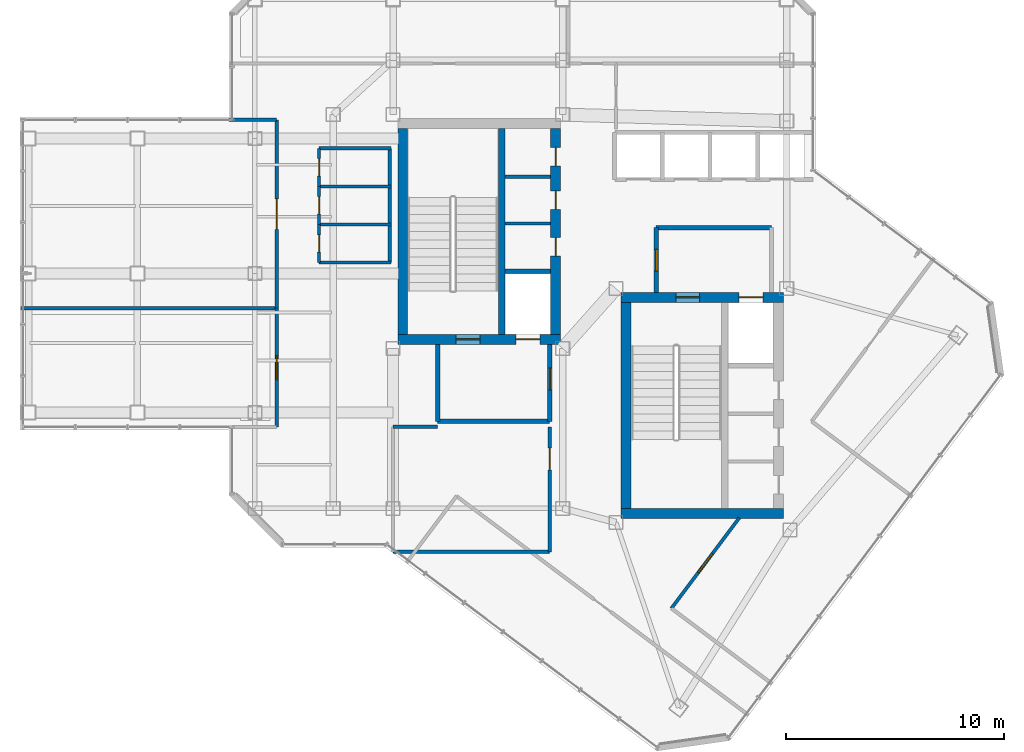
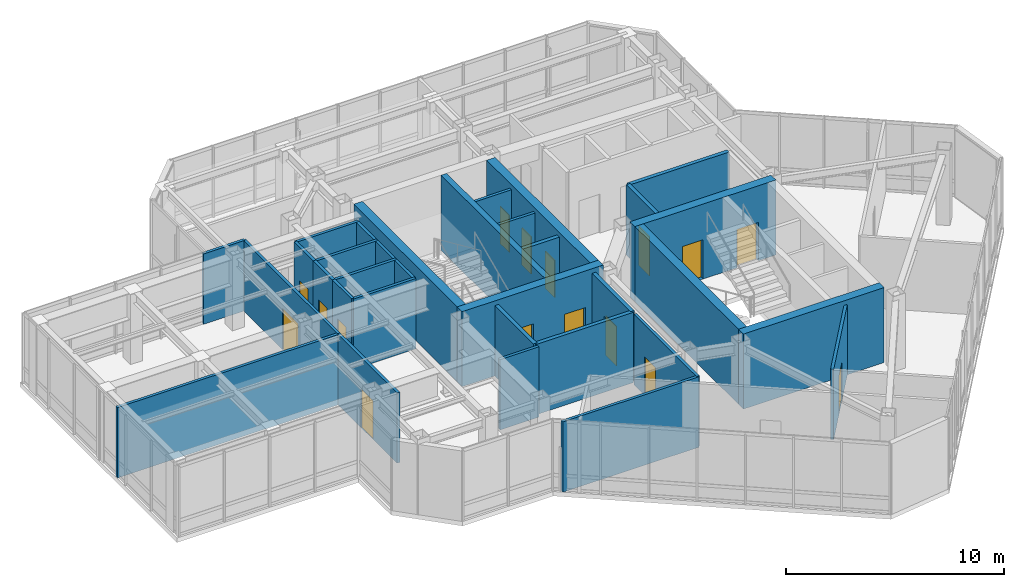
# One storey, part 18 of 22: 31 walls, 16 doors, 16 openings.
"""IFC4 building model written with IfcOpenShell, lengths in metres."""

from ifc_helpers import new_model, si_unit, direction, frame, frame_2d, origin, place, context, subcontext, project, spatial, rectangle, extrude, material, layer, layer_set, type_object, element, fill, save


model = new_model("IFC4")

# Units and contexts
model_context = context("Model", 3, precision=1e-05, world=origin(), true_north=direction((0.0, 1.0)))
body_context = subcontext(model_context, "Body", "Model", "MODEL_VIEW")
ifc_project = project(units=[si_unit("LENGTHUNIT", "METRE"), si_unit("AREAUNIT", "SQUARE_METRE"), si_unit("VOLUMEUNIT", "CUBIC_METRE"), si_unit("PLANEANGLEUNIT", "RADIAN"), si_unit("MASSUNIT", "GRAM", prefix="KILO")], contexts=[model_context])

# Site, building, storey
site_placement = place(None, origin())
site = spatial("IfcSite", under=ifc_project, at=site_placement, CompositionType="ELEMENT")
building_placement = place(site_placement, origin())
building = spatial("IfcBuilding", under=site, at=building_placement, Name="Hatsunagi Terrace Concourse", CompositionType="ELEMENT")
storey_placement = place(building_placement, frame((0.0, 0.0, 261.75)))
storey = spatial("IfcBuildingStorey", under=building, at=storey_placement, Name="L69", CompositionType="ELEMENT", Elevation=261.75)

# Wall, openings, doors
ifc_material_1 = material(Name="Concrete Fc42", Category="concrete")
ifc_layer_1 = layer(ifc_material_1, 0.449951171875)
ifc_layer_set_1 = layer_set([ifc_layer_1], Name="CoreShearWall_Fc42_450")
wall_type_1 = type_object("IfcWallType", Name="CoreShearWall_Fc42_450", PredefinedType="SHEAR", material=ifc_layer_set_1)
wall_1_placement = place(storey_placement, frame((25.77001953125, 32.965087890625, 0.0), z_axis=(0.0, 0.0, 1.0), x_axis=(1.0, 0.0, 0.0)))
wall_1 = element("IfcWall", 1, at=wall_1_placement, inside=storey, type_object=wall_type_1, Name="Core A Shear Wall S L69", PredefinedType="SHEAR", context=body_context, shape_type="SweptSolid", body=[
    extrude(rectangle(XDim=7.47998046875, YDim=0.449951171875, at=frame_2d((3.739990234375, 0.0))), origin(), (0.0, 0.0, 1.0), 4.199951171875),
])
opening_1_placement = place(wall_1_placement, frame((2.679931640625, 0.0, 0.0)))
opening_1 = element("IfcOpeningElement", 2, at=opening_1_placement, cuts=wall_1, Name="Opening DR-110S", PredefinedType="OPENING", context=body_context, shape_type="SweptSolid", body=[
    extrude(rectangle(XDim=1.10009765625, YDim=2.199951171875, at=frame_2d((0.550048828125, 1.10009765625))), frame((0.0, 0.23486328125, 0.0), z_axis=(0.0, -1.0, 0.0), x_axis=(1.0, 0.0, 0.0)), (0.0, 0.0, 1.0), 0.469970703125),
])
opening_2_placement = place(wall_1_placement, frame((5.429931640625, 0.0, 0.0)))
opening_2 = element("IfcOpeningElement", 3, at=opening_2_placement, cuts=wall_1, Name="Opening LD-01", PredefinedType="OPENING", context=body_context, shape_type="SweptSolid", body=[
    extrude(rectangle(XDim=1.10009765625, YDim=2.14990234375, at=frame_2d((0.550048828125, 1.074951171875))), frame((0.0, 0.23486328125, 0.0), z_axis=(0.0, -1.0, 0.0), x_axis=(1.0, 0.0, 0.0)), (0.0, 0.0, 1.0), 0.469970703125),
])
ifc_material_2 = material(Name="Stainless steel", Category="steel")
door_type_1 = type_object("IfcDoorType", Name="LiftLandingDoor_LD01", OperationType="SLIDING_TO_LEFT", PredefinedType="USERDEFINED", material=ifc_material_2)
door_1_placement = place(opening_2_placement, origin())
door_1 = element("IfcDoor", 4, at=door_1_placement, inside=storey, type_object=door_type_1, Name="Lift landing door FF-01 L69", ObjectType="SLIDING_LANDING_DOOR", OperationType="SLIDING_TO_LEFT", OverallHeight=2.14990234375, OverallWidth=1.10009765625, PredefinedType="USERDEFINED", context=body_context, shape_type="SweptSolid", body=[
    extrude(rectangle(XDim=1.10009765625, YDim=2.14990234375, at=frame_2d((0.550048828125, 1.074951171875))), frame((0.0, 0.02490234375, 0.0), z_axis=(0.0, -1.0, 0.0), x_axis=(1.0, 0.0, 0.0)), (0.0, 0.0, 1.0), 0.050048828125),
])
fill(opening_2, door_1)
ifc_material_3 = material(Name="Painted steel", Category="steel")
door_type_2 = type_object("IfcDoorType", Name="StairFireDoor_EI60_1100", OperationType="NOTDEFINED", PredefinedType="DOOR", material=ifc_material_3)
door_2_placement = place(opening_1_placement, origin())
door_2 = element("IfcDoor", 5, at=door_2_placement, inside=storey, type_object=door_type_2, Name="Stair ST-A Exit Door L69", OperationType="SINGLE_SWING_LEFT", OverallHeight=2.199951171875, OverallWidth=1.10009765625, PredefinedType="DOOR", context=body_context, shape_type="SweptSolid", body=[
    extrude(rectangle(XDim=1.10009765625, YDim=2.199951171875, at=frame_2d((0.550048828125, 1.10009765625))), frame((0.0, 0.02490234375, 0.0), z_axis=(0.0, -1.0, 0.0), x_axis=(1.0, 0.0, 0.0)), (0.0, 0.0, 1.0), 0.050048828125),
])
fill(opening_1, door_2)

# Wall
wall_2_placement = place(storey_placement, frame((25.9951171875, 33.18994140625, 0.0), z_axis=(0.0, 0.0, 1.0), x_axis=(0.0, 1.0, 0.0)))
element("IfcWall", 6, at=wall_2_placement, inside=storey, type_object=wall_type_1, Name="Core A Shear Wall W L69", PredefinedType="SHEAR", context=body_context, shape_type="SweptSolid", body=[
    extrude(rectangle(XDim=9.47998046875, YDim=0.449951171875, at=frame_2d((4.739990234375, 0.0))), origin(), (0.0, 0.0, 1.0), 4.199951171875),
])

# Wall, openings, doors
wall_3_placement = place(storey_placement, frame((33.02490234375, 33.18994140625, 0.0), z_axis=(0.0, 0.0, 1.0), x_axis=(0.0, 1.0, 0.0)))
wall_3 = element("IfcWall", 7, at=wall_3_placement, inside=storey, type_object=wall_type_1, Name="Core A Shear Wall E L69", PredefinedType="SHEAR", context=body_context, shape_type="SweptSolid", body=[
    extrude(rectangle(XDim=9.47998046875, YDim=0.449951171875, at=frame_2d((4.739990234375, 0.0))), origin(), (0.0, 0.0, 1.0), 4.199951171875),
])
opening_3_placement = place(wall_3_placement, frame((3.610107421875, 0.0, 0.0)))
opening_3 = element("IfcOpeningElement", 8, at=opening_3_placement, cuts=wall_3, Name="Opening DR-085", PredefinedType="OPENING", context=body_context, shape_type="SweptSolid", body=[
    extrude(rectangle(XDim=0.85009765625, YDim=2.080078125, at=frame_2d((0.425048828125, 1.0400390625))), frame((0.0, 0.23486328125, 0.0), z_axis=(0.0, -1.0, 0.0), x_axis=(1.0, 0.0, 0.0)), (0.0, 0.0, 1.0), 0.469970703125),
])
opening_4_placement = place(wall_3_placement, frame((5.760009765625, 0.0, 0.0)))
opening_4 = element("IfcOpeningElement", 9, at=opening_4_placement, cuts=wall_3, Name="Opening DR-085", PredefinedType="OPENING", context=body_context, shape_type="SweptSolid", body=[
    extrude(rectangle(XDim=0.85009765625, YDim=2.080078125, at=frame_2d((0.425048828125, 1.0400390625))), frame((0.0, 0.23486328125, 0.0), z_axis=(0.0, -1.0, 0.0), x_axis=(1.0, 0.0, 0.0)), (0.0, 0.0, 1.0), 0.469970703125),
])
opening_5_placement = place(wall_3_placement, frame((7.760009765625, 0.0, 0.0)))
opening_5 = element("IfcOpeningElement", 10, at=opening_5_placement, cuts=wall_3, Name="Opening DR-085", PredefinedType="OPENING", context=body_context, shape_type="SweptSolid", body=[
    extrude(rectangle(XDim=0.85009765625, YDim=2.080078125, at=frame_2d((0.425048828125, 1.0400390625))), frame((0.0, 0.23486328125, 0.0), z_axis=(0.0, -1.0, 0.0), x_axis=(1.0, 0.0, 0.0)), (0.0, 0.0, 1.0), 0.469970703125),
])
ifc_material_4 = material(Name="Painted steel", Category="steel")
door_type_3 = type_object("IfcDoorType", Name="RiserAccessDoor_EI60_850", OperationType="NOTDEFINED", PredefinedType="DOOR", material=ifc_material_4)
door_3_placement = place(opening_3_placement, origin())
door_3 = element("IfcDoor", 11, at=door_3_placement, inside=storey, type_object=door_type_3, Name="Core A Riser Door L69-1", OperationType="SINGLE_SWING_LEFT", OverallHeight=2.080078125, OverallWidth=0.85009765625, PredefinedType="DOOR", context=body_context, shape_type="SweptSolid", body=[
    extrude(rectangle(XDim=0.85009765625, YDim=2.080078125, at=frame_2d((0.425048828125, 1.0400390625))), frame((0.0, 0.02490234375, 0.0), z_axis=(0.0, -1.0, 0.0), x_axis=(1.0, 0.0, 0.0)), (0.0, 0.0, 1.0), 0.050048828125),
])
fill(opening_3, door_3)
door_4_placement = place(opening_4_placement, origin())
door_4 = element("IfcDoor", 12, at=door_4_placement, inside=storey, type_object=door_type_3, Name="Core A Riser Door L69-2", OperationType="SINGLE_SWING_LEFT", OverallHeight=2.080078125, OverallWidth=0.85009765625, PredefinedType="DOOR", context=body_context, shape_type="SweptSolid", body=[
    extrude(rectangle(XDim=0.85009765625, YDim=2.080078125, at=frame_2d((0.425048828125, 1.0400390625))), frame((0.0, 0.02490234375, 0.0), z_axis=(0.0, -1.0, 0.0), x_axis=(1.0, 0.0, 0.0)), (0.0, 0.0, 1.0), 0.050048828125),
])
fill(opening_4, door_4)
door_5_placement = place(opening_5_placement, origin())
door_5 = element("IfcDoor", 13, at=door_5_placement, inside=storey, type_object=door_type_3, Name="Core A Riser Door L69-3", OperationType="SINGLE_SWING_LEFT", OverallHeight=2.080078125, OverallWidth=0.85009765625, PredefinedType="DOOR", context=body_context, shape_type="SweptSolid", body=[
    extrude(rectangle(XDim=0.85009765625, YDim=2.080078125, at=frame_2d((0.425048828125, 1.0400390625))), frame((0.0, 0.02490234375, 0.0), z_axis=(0.0, -1.0, 0.0), x_axis=(1.0, 0.0, 0.0)), (0.0, 0.0, 1.0), 0.050048828125),
])
fill(opening_5, door_5)

# Wall
wall_4_placement = place(storey_placement, frame((36.0400390625, 24.965087890625, 0.0), z_axis=(0.0, 0.0, 1.0), x_axis=(1.0, 0.0, 0.0)))
element("IfcWall", 14, at=wall_4_placement, inside=storey, type_object=wall_type_1, Name="Core B Shear Wall S L69", PredefinedType="SHEAR", context=body_context, shape_type="SweptSolid", body=[
    extrude(rectangle(XDim=7.4599609375, YDim=0.449951171875, at=frame_2d((3.72998046875, 0.0))), origin(), (0.0, 0.0, 1.0), 4.199951171875),
])

# Wall, openings, doors
wall_5_placement = place(storey_placement, frame((36.0400390625, 34.89501953125, 0.0), z_axis=(0.0, 0.0, 1.0), x_axis=(1.0, 0.0, 0.0)))
wall_5 = element("IfcWall", 15, at=wall_5_placement, inside=storey, type_object=wall_type_1, Name="Core B Shear Wall N L69", PredefinedType="SHEAR", context=body_context, shape_type="SweptSolid", body=[
    extrude(rectangle(XDim=7.4599609375, YDim=0.449951171875, at=frame_2d((3.72998046875, 0.0))), origin(), (0.0, 0.0, 1.0), 4.199951171875),
])
opening_6_placement = place(wall_5_placement, frame((2.510009765625, 0.0, 0.0)))
opening_6 = element("IfcOpeningElement", 16, at=opening_6_placement, cuts=wall_5, Name="Opening DR-110S", PredefinedType="OPENING", context=body_context, shape_type="SweptSolid", body=[
    extrude(rectangle(XDim=1.10009765625, YDim=2.199951171875, at=frame_2d((0.550048828125, 1.10009765625))), frame((0.0, 0.23486328125, 0.0), z_axis=(0.0, -1.0, 0.0), x_axis=(1.0, 0.0, 0.0)), (0.0, 0.0, 1.0), 0.469970703125),
])
opening_7_placement = place(wall_5_placement, frame((5.409912109375, 0.0, 0.0)))
opening_7 = element("IfcOpeningElement", 17, at=opening_7_placement, cuts=wall_5, Name="Opening LD-02", PredefinedType="OPENING", context=body_context, shape_type="SweptSolid", body=[
    extrude(rectangle(XDim=1.1201171875, YDim=2.14990234375, at=frame_2d((0.56005859375, 1.074951171875))), frame((0.0, 0.23486328125, 0.0), z_axis=(0.0, -1.0, 0.0), x_axis=(1.0, 0.0, 0.0)), (0.0, 0.0, 1.0), 0.469970703125),
])
ifc_material_5 = material(Name="Stainless steel", Category="steel")
door_type_4 = type_object("IfcDoorType", Name="LiftLandingDoor_LD02", OperationType="SLIDING_TO_RIGHT", PredefinedType="USERDEFINED", material=ifc_material_5)
door_6_placement = place(opening_7_placement, origin())
door_6 = element("IfcDoor", 18, at=door_6_placement, inside=storey, type_object=door_type_4, Name="Lift landing door FF-02 L69", ObjectType="SLIDING_LANDING_DOOR", OperationType="SLIDING_TO_RIGHT", OverallHeight=2.14990234375, OverallWidth=1.1201171875, PredefinedType="USERDEFINED", context=body_context, shape_type="SweptSolid", body=[
    extrude(rectangle(XDim=1.1201171875, YDim=2.14990234375, at=frame_2d((0.56005859375, 1.074951171875))), frame((0.0, 0.02490234375, 0.0), z_axis=(0.0, -1.0, 0.0), x_axis=(1.0, 0.0, 0.0)), (0.0, 0.0, 1.0), 0.050048828125),
])
fill(opening_7, door_6)
door_7_placement = place(opening_6_placement, origin())
door_7 = element("IfcDoor", 19, at=door_7_placement, inside=storey, type_object=door_type_2, Name="Stair ST-B Exit Door L69", OperationType="SINGLE_SWING_RIGHT", OverallHeight=2.199951171875, OverallWidth=1.10009765625, PredefinedType="DOOR", context=body_context, shape_type="SweptSolid", body=[
    extrude(rectangle(XDim=1.10009765625, YDim=2.199951171875, at=frame_2d((0.550048828125, 1.10009765625))), frame((0.0, 0.02490234375, 0.0), z_axis=(0.0, -1.0, 0.0), x_axis=(1.0, 0.0, 0.0)), (0.0, 0.0, 1.0), 0.050048828125),
])
fill(opening_6, door_7)

# Walls
wall_6_placement = place(storey_placement, frame((36.264892578125, 25.18994140625, 0.0), z_axis=(0.0, 0.0, 1.0), x_axis=(0.0, 1.0, 0.0)))
element("IfcWall", 20, at=wall_6_placement, inside=storey, type_object=wall_type_1, Name="Core B Shear Wall W L69", PredefinedType="SHEAR", context=body_context, shape_type="SweptSolid", body=[
    extrude(rectangle(XDim=9.47998046875, YDim=0.449951171875, at=frame_2d((4.739990234375, 0.0))), origin(), (0.0, 0.0, 1.0), 4.199951171875),
])
ifc_material_6 = material(Name="Concrete Fc48", Category="concrete")
ifc_layer_2 = layer(ifc_material_6, 0.300048828125)
ifc_layer_set_2 = layer_set([ifc_layer_2], Name="CoreStairDivider_Fc48_300")
wall_type_2 = type_object("IfcWallType", Name="CoreStairDivider_Fc48_300", PredefinedType="SHEAR", material=ifc_layer_set_2)
wall_7_placement = place(storey_placement, frame((30.5400390625, 33.18994140625, 0.0), z_axis=(0.0, 0.0, 1.0), x_axis=(0.0, 1.0, 0.0)))
element("IfcWall", 21, at=wall_7_placement, inside=storey, type_object=wall_type_2, Name="Core A Shear Wall D L69", PredefinedType="SHEAR", context=body_context, shape_type="SweptSolid", body=[
    extrude(rectangle(XDim=9.47998046875, YDim=0.300048828125, at=frame_2d((4.739990234375, 0.0))), origin(), (0.0, 0.0, 1.0), 4.199951171875),
])
ifc_material_7 = material(Name="Acoustic mineral board", Category="gypsum")
ifc_layer_3 = layer(ifc_material_7, 0.14990234375)
ifc_layer_set_3 = layer_set([ifc_layer_3], Name="PartitionWall_EI60_150")
wall_type_3 = type_object("IfcWallType", Name="PartitionWall_EI60_150", PredefinedType="PARTITIONING", material=ifc_layer_set_3)
for number, where, z_axis, x_axis, name in (
    (22, (30.699951171875, 38.300048828125, 0.0), (0.0, 0.0, 1.0), (1.0, 0.0, 0.0), "Interior Partition IW-L69-002"),
    (23, (30.699951171875, 40.449951171875, 0.0), (0.0, 0.0, 1.0), (1.0, 0.0, 0.0), "Interior Partition IW-L69-003"),
):
    element("IfcWall", number, at=place(storey_placement, frame(where, z_axis=z_axis, x_axis=x_axis)), inside=storey, type_object=wall_type_3, Name=name, PredefinedType="PARTITIONING", context=body_context, shape_type="SweptSolid", body=[
        extrude(rectangle(XDim=2.10009765625, YDim=0.14990234375, at=frame_2d((1.050048828125, 0.0))), origin(), (0.0, 0.0, 1.0), 3.93994140625),
    ])
for number, where, z_axis, x_axis, name in (
    (24, (22.14990234375, 36.5, 0.0), (0.0, 0.0, 1.0), (1.0, 0.0, 0.0), "Interior Partition IW-L69-019"),
    (25, (22.14990234375, 41.75, 0.0), (0.0, 0.0, 1.0), (1.0, 0.0, 0.0), "Interior Partition IW-L69-020"),
):
    element("IfcWall", number, at=place(storey_placement, frame(where, z_axis=z_axis, x_axis=x_axis)), inside=storey, type_object=wall_type_3, Name=name, PredefinedType="PARTITIONING", context=body_context, shape_type="SweptSolid", body=[
        extrude(rectangle(XDim=3.300048828125, YDim=0.14990234375, at=frame_2d((1.64990234375, 0.0))), origin(), (0.0, 0.0, 1.0), 3.93994140625),
    ])
wall_8_placement = place(storey_placement, frame((25.39990234375, 36.5, 0.0), z_axis=(0.0, 0.0, 1.0), x_axis=(0.0, 1.0, 0.0)))
element("IfcWall", 26, at=wall_8_placement, inside=storey, type_object=wall_type_3, Name="Interior Partition IW-L69-021", PredefinedType="PARTITIONING", context=body_context, shape_type="SweptSolid", body=[
    extrude(rectangle(XDim=5.25, YDim=0.14990234375, at=frame_2d((2.625, 0.0))), origin(), (0.0, 0.0, 1.0), 3.93994140625),
])
for number, where, z_axis, x_axis, name in (
    (27, (22.14990234375, 38.25, 0.0), (0.0, 0.0, 1.0), (1.0, 0.0, 0.0), "Interior Partition IW-L69-022"),
    (28, (22.14990234375, 40.0, 0.0), (0.0, 0.0, 1.0), (1.0, 0.0, 0.0), "Interior Partition IW-L69-023"),
):
    element("IfcWall", number, at=place(storey_placement, frame(where, z_axis=z_axis, x_axis=x_axis)), inside=storey, type_object=wall_type_3, Name=name, PredefinedType="PARTITIONING", context=body_context, shape_type="SweptSolid", body=[
        extrude(rectangle(XDim=3.300048828125, YDim=0.14990234375, at=frame_2d((1.64990234375, 0.0))), origin(), (0.0, 0.0, 1.0), 3.93994140625),
    ])

# Wall, opening, door
wall_9_placement = place(storey_placement, frame((22.14990234375, 36.5, 0.0), z_axis=(0.0, 0.0, 1.0), x_axis=(0.0, 1.0, 0.0)))
wall_9 = element("IfcWall", 29, at=wall_9_placement, inside=storey, type_object=wall_type_3, Name="Interior Partition IW-L69-024", PredefinedType="PARTITIONING", context=body_context, shape_type="SweptSolid", body=[
    extrude(rectangle(XDim=1.75, YDim=0.14990234375, at=frame_2d((0.875, 0.0))), origin(), (0.0, 0.0, 1.0), 3.93994140625),
])
opening_8_placement = place(wall_9_placement, frame((0.47509765625, 0.0, 0.0)))
opening_8 = element("IfcOpeningElement", 30, at=opening_8_placement, cuts=wall_9, Name="Opening DR-080", PredefinedType="OPENING", context=body_context, shape_type="SweptSolid", body=[
    extrude(rectangle(XDim=0.800048828125, YDim=2.06005859375, at=frame_2d((0.39990234375, 1.030029296875))), frame((0.0, 0.0849609375, 0.0), z_axis=(0.0, -1.0, 0.0), x_axis=(1.0, 0.0, 0.0)), (0.0, 0.0, 1.0), 0.169921875),
])
ifc_material_8 = material(Name="Hardwood timber", Category="wood")
door_type_5 = type_object("IfcDoorType", Name="BathroomDoor_800", OperationType="NOTDEFINED", PredefinedType="DOOR", material=ifc_material_8)
door_8_placement = place(opening_8_placement, origin())
door_8 = element("IfcDoor", 31, at=door_8_placement, inside=storey, type_object=door_type_5, Name="Accessible WC Door L69", OperationType="SINGLE_SWING_RIGHT", OverallHeight=2.06005859375, OverallWidth=0.800048828125, PredefinedType="DOOR", context=body_context, shape_type="SweptSolid", body=[
    extrude(rectangle(XDim=0.800048828125, YDim=2.06005859375, at=frame_2d((0.39990234375, 1.030029296875))), frame((0.0, 0.02490234375, 0.0), z_axis=(0.0, -1.0, 0.0), x_axis=(1.0, 0.0, 0.0)), (0.0, 0.0, 1.0), 0.050048828125),
])
fill(opening_8, door_8)

wall_10_placement = place(storey_placement, frame((22.14990234375, 38.25, 0.0), z_axis=(0.0, 0.0, 1.0), x_axis=(0.0, 1.0, 0.0)))
wall_10 = element("IfcWall", 32, at=wall_10_placement, inside=storey, type_object=wall_type_3, Name="Interior Partition IW-L69-025", PredefinedType="PARTITIONING", context=body_context, shape_type="SweptSolid", body=[
    extrude(rectangle(XDim=1.75, YDim=0.14990234375, at=frame_2d((0.875, 0.0))), origin(), (0.0, 0.0, 1.0), 3.93994140625),
])
opening_9_placement = place(wall_10_placement, frame((0.47509765625, 0.0, 0.0)))
opening_9 = element("IfcOpeningElement", 33, at=opening_9_placement, cuts=wall_10, Name="Opening DR-080", PredefinedType="OPENING", context=body_context, shape_type="SweptSolid", body=[
    extrude(rectangle(XDim=0.800048828125, YDim=2.06005859375, at=frame_2d((0.39990234375, 1.030029296875))), frame((0.0, 0.0849609375, 0.0), z_axis=(0.0, -1.0, 0.0), x_axis=(1.0, 0.0, 0.0)), (0.0, 0.0, 1.0), 0.169921875),
])
door_9_placement = place(opening_9_placement, origin())
door_9 = element("IfcDoor", 34, at=door_9_placement, inside=storey, type_object=door_type_5, Name="Female Restroom Door L69", OperationType="SINGLE_SWING_RIGHT", OverallHeight=2.06005859375, OverallWidth=0.800048828125, PredefinedType="DOOR", context=body_context, shape_type="SweptSolid", body=[
    extrude(rectangle(XDim=0.800048828125, YDim=2.06005859375, at=frame_2d((0.39990234375, 1.030029296875))), frame((0.0, 0.02490234375, 0.0), z_axis=(0.0, -1.0, 0.0), x_axis=(1.0, 0.0, 0.0)), (0.0, 0.0, 1.0), 0.050048828125),
])
fill(opening_9, door_9)

wall_11_placement = place(storey_placement, frame((22.14990234375, 40.0, 0.0), z_axis=(0.0, 0.0, 1.0), x_axis=(0.0, 1.0, 0.0)))
wall_11 = element("IfcWall", 35, at=wall_11_placement, inside=storey, type_object=wall_type_3, Name="Interior Partition IW-L69-026", PredefinedType="PARTITIONING", context=body_context, shape_type="SweptSolid", body=[
    extrude(rectangle(XDim=1.75, YDim=0.14990234375, at=frame_2d((0.875, 0.0))), origin(), (0.0, 0.0, 1.0), 3.93994140625),
])
opening_10_placement = place(wall_11_placement, frame((0.47509765625, 0.0, 0.0)))
opening_10 = element("IfcOpeningElement", 36, at=opening_10_placement, cuts=wall_11, Name="Opening DR-080", PredefinedType="OPENING", context=body_context, shape_type="SweptSolid", body=[
    extrude(rectangle(XDim=0.800048828125, YDim=2.06005859375, at=frame_2d((0.39990234375, 1.030029296875))), frame((0.0, 0.0849609375, 0.0), z_axis=(0.0, -1.0, 0.0), x_axis=(1.0, 0.0, 0.0)), (0.0, 0.0, 1.0), 0.169921875),
])
door_10_placement = place(opening_10_placement, origin())
door_10 = element("IfcDoor", 37, at=door_10_placement, inside=storey, type_object=door_type_5, Name="Male Restroom Door L69", OperationType="SINGLE_SWING_LEFT", OverallHeight=2.06005859375, OverallWidth=0.800048828125, PredefinedType="DOOR", context=body_context, shape_type="SweptSolid", body=[
    extrude(rectangle(XDim=0.800048828125, YDim=2.06005859375, at=frame_2d((0.39990234375, 1.030029296875))), frame((0.0, 0.02490234375, 0.0), z_axis=(0.0, -1.0, 0.0), x_axis=(1.0, 0.0, 0.0)), (0.0, 0.0, 1.0), 0.050048828125),
])
fill(opening_10, door_10)

# Walls
wall_12_placement = place(storey_placement, frame((25.550048828125, 23.199951171875, 0.0), z_axis=(0.0, 0.0, 1.0), x_axis=(1.0, 0.0, 0.0)))
element("IfcWall", 38, at=wall_12_placement, inside=storey, type_object=wall_type_3, Name="Interior Partition IW-L69-027", PredefinedType="PARTITIONING", context=body_context, shape_type="SweptSolid", body=[
    extrude(rectangle(XDim=7.199951171875, YDim=0.14990234375, at=frame_2d((3.60009765625, 0.0))), origin(), (0.0, 0.0, 1.0), 3.93994140625),
])
wall_13_placement = place(storey_placement, frame((25.550048828125, 28.949951171875, 0.0), z_axis=(0.0, 0.0, 1.0), x_axis=(1.0, 0.0, 0.0)))
element("IfcWall", 39, at=wall_13_placement, inside=storey, type_object=wall_type_3, Name="Interior Partition IW-L69-028", PredefinedType="PARTITIONING", context=body_context, shape_type="SweptSolid", body=[
    extrude(rectangle(XDim=2.050048828125, YDim=0.14990234375, at=frame_2d((1.02490234375, 0.0))), origin(), (0.0, 0.0, 1.0), 3.93994140625),
])

# Wall, opening, door
wall_14_placement = place(storey_placement, frame((32.75, 23.199951171875, 0.0), z_axis=(0.0, 0.0, 1.0), x_axis=(0.0, 1.0, 0.0)))
wall_14 = element("IfcWall", 40, at=wall_14_placement, inside=storey, type_object=wall_type_3, Name="Interior Partition IW-L69-030", PredefinedType="PARTITIONING", context=body_context, shape_type="SweptSolid", body=[
    extrude(rectangle(XDim=5.75, YDim=0.14990234375, at=frame_2d((2.875, 0.0))), origin(), (0.0, 0.0, 1.0), 3.93994140625),
])
opening_11_placement = place(wall_14_placement, frame((3.77197265625, 0.0, 0.0)))
opening_11 = element("IfcOpeningElement", 41, at=opening_11_placement, cuts=wall_14, Name="Opening DR-100S", PredefinedType="OPENING", context=body_context, shape_type="SweptSolid", body=[
    extrude(rectangle(XDim=1.0, YDim=2.14990234375, at=frame_2d((0.5, 1.074951171875))), frame((0.0, 0.0849609375, 0.0), z_axis=(0.0, -1.0, 0.0), x_axis=(1.0, 0.0, 0.0)), (0.0, 0.0, 1.0), 0.169921875),
])
ifc_material_9 = material(Name="Hardwood timber", Category="wood")
door_type_6 = type_object("IfcDoorType", Name="SuiteDoor_EI30_1000", OperationType="NOTDEFINED", PredefinedType="DOOR", material=ifc_material_9)
door_11_placement = place(opening_11_placement, origin())
door_11 = element("IfcDoor", 42, at=door_11_placement, inside=storey, type_object=door_type_6, Name="Executive Briefing Room L69-RECL1 Door", OperationType="SINGLE_SWING_LEFT", OverallHeight=2.14990234375, OverallWidth=1.0, PredefinedType="DOOR", context=body_context, shape_type="SweptSolid", body=[
    extrude(rectangle(XDim=1.0, YDim=2.14990234375, at=frame_2d((0.5, 1.074951171875))), frame((0.0, 0.02490234375, 0.0), z_axis=(0.0, -1.0, 0.0), x_axis=(1.0, 0.0, 0.0)), (0.0, 0.0, 1.0), 0.050048828125),
])
fill(opening_11, door_11)

# Walls
wall_15_placement = place(storey_placement, frame((18.0, 43.06005859375, 0.0), z_axis=(0.0, 0.0, 1.0), x_axis=(1.0, 0.0, 0.0)))
element("IfcWall", 43, at=wall_15_placement, inside=storey, type_object=wall_type_3, Name="Interior Partition IW-L69-034", PredefinedType="PARTITIONING", context=body_context, shape_type="SweptSolid", body=[
    extrude(rectangle(XDim=2.199951171875, YDim=0.14990234375, at=frame_2d((1.10009765625, 0.0))), origin(), (0.0, 0.0, 1.0), 3.93994140625),
])
wall_16_placement = place(storey_placement, frame((8.43994140625, 34.39990234375, 0.0), z_axis=(0.0, 0.0, 1.0), x_axis=(1.0, 0.0, 0.0)))
element("IfcWall", 44, at=wall_16_placement, inside=storey, type_object=wall_type_3, Name="Interior Partition IW-L69-037", PredefinedType="PARTITIONING", context=body_context, shape_type="SweptSolid", body=[
    extrude(rectangle(XDim=11.760009765625, YDim=0.14990234375, at=frame_2d((5.8798828125, 0.0))), origin(), (0.0, 0.0, 1.0), 3.93994140625),
])

# Wall, opening, door
wall_17_placement = place(storey_placement, frame((20.199951171875, 28.93994140625, 0.0), z_axis=(0.0, 0.0, 1.0), x_axis=(0.0, 1.0, 0.0)))
wall_17 = element("IfcWall", 45, at=wall_17_placement, inside=storey, type_object=wall_type_3, Name="Interior Partition IW-L69-038", PredefinedType="PARTITIONING", context=body_context, shape_type="SweptSolid", body=[
    extrude(rectangle(XDim=5.4599609375, YDim=0.14990234375, at=frame_2d((2.72998046875, 0.0))), origin(), (0.0, 0.0, 1.0), 3.93994140625),
])
opening_12_placement = place(wall_17_placement, frame((2.179931640625, 0.0, 0.0)))
opening_12 = element("IfcOpeningElement", 46, at=opening_12_placement, cuts=wall_17, Name="Opening DR-110W", PredefinedType="OPENING", context=body_context, shape_type="SweptSolid", body=[
    extrude(rectangle(XDim=1.10009765625, YDim=2.159912109375, at=frame_2d((0.550048828125, 1.080078125))), frame((0.0, 0.0849609375, 0.0), z_axis=(0.0, -1.0, 0.0), x_axis=(1.0, 0.0, 0.0)), (0.0, 0.0, 1.0), 0.169921875),
])
ifc_material_10 = material(Name="Hardwood timber", Category="wood")
door_type_7 = type_object("IfcDoorType", Name="SuiteWideDoor_EI30_1100", OperationType="NOTDEFINED", PredefinedType="DOOR", material=ifc_material_10)
door_12_placement = place(opening_12_placement, origin())
door_12 = element("IfcDoor", 47, at=door_12_placement, inside=storey, type_object=door_type_7, Name="Observation Bar L69-OBAR Door", OperationType="SINGLE_SWING_RIGHT", OverallHeight=2.159912109375, OverallWidth=1.10009765625, PredefinedType="DOOR", context=body_context, shape_type="SweptSolid", body=[
    extrude(rectangle(XDim=1.10009765625, YDim=2.159912109375, at=frame_2d((0.550048828125, 1.080078125))), frame((0.0, 0.02490234375, 0.0), z_axis=(0.0, -1.0, 0.0), x_axis=(1.0, 0.0, 0.0)), (0.0, 0.0, 1.0), 0.050048828125),
])
fill(opening_12, door_12)

wall_18_placement = place(storey_placement, frame((20.199951171875, 34.39990234375, 0.0), z_axis=(0.0, 0.0, 1.0), x_axis=(0.0, 1.0, 0.0)))
wall_18 = element("IfcWall", 48, at=wall_18_placement, inside=storey, type_object=wall_type_3, Name="Interior Partition IW-L69-039", PredefinedType="PARTITIONING", context=body_context, shape_type="SweptSolid", body=[
    extrude(rectangle(XDim=8.66015625, YDim=0.14990234375, at=frame_2d((4.330078125, 0.0))), origin(), (0.0, 0.0, 1.0), 3.93994140625),
])
opening_13_placement = place(wall_18_placement, frame((3.6298828125, 0.0, 0.0)))
opening_13 = element("IfcOpeningElement", 49, at=opening_13_placement, cuts=wall_18, Name="Opening DR-140", PredefinedType="OPENING", context=body_context, shape_type="SweptSolid", body=[
    extrude(rectangle(XDim=1.39990234375, YDim=2.300048828125, at=frame_2d((0.699951171875, 1.14990234375))), frame((0.0, 0.0849609375, 0.0), z_axis=(0.0, -1.0, 0.0), x_axis=(1.0, 0.0, 0.0)), (0.0, 0.0, 1.0), 0.169921875),
])
ifc_material_11 = material(Name="Hardwood timber", Category="wood")
door_type_8 = type_object("IfcDoorType", Name="LoungeDiningDoubleDoor_1400", OperationType="DOUBLE_DOOR_SINGLE_SWING", PredefinedType="DOOR", material=ifc_material_11)
door_13_placement = place(opening_13_placement, origin())
door_13 = element("IfcDoor", 50, at=door_13_placement, inside=storey, type_object=door_type_8, Name="Sky Lounge L69-SKYL Door", OperationType="DOUBLE_DOOR_SINGLE_SWING", OverallHeight=2.300048828125, OverallWidth=1.39990234375, PredefinedType="DOOR", context=body_context, shape_type="SweptSolid", body=[
    extrude(rectangle(XDim=1.39990234375, YDim=2.300048828125, at=frame_2d((0.699951171875, 1.14990234375))), frame((0.0, 0.02490234375, 0.0), z_axis=(0.0, -1.0, 0.0), x_axis=(1.0, 0.0, 0.0)), (0.0, 0.0, 1.0), 0.050048828125),
])
fill(opening_13, door_13)

wall_19_placement = place(storey_placement, frame((38.35009765625, 20.60009765625, 0.0), z_axis=(0.0, 0.0, 1.0), x_axis=(0.599992487743, 0.800005634138, 0.0)))
wall_19 = element("IfcWall", 51, at=wall_19_placement, inside=storey, type_object=wall_type_3, Name="Interior Partition IW-L69-045", PredefinedType="PARTITIONING", context=body_context, shape_type="SweptSolid", body=[
    extrude(rectangle(XDim=5.199951171875, YDim=0.14990234375, at=frame_2d((2.60009765625, 0.0))), origin(), (0.0, 0.0, 1.0), 3.93994140625),
])
opening_14_placement = place(wall_19_placement, frame((2.050048828125, 0.0, 0.0)))
opening_14 = element("IfcOpeningElement", 52, at=opening_14_placement, cuts=wall_19, Name="Opening DR-110W", PredefinedType="OPENING", context=body_context, shape_type="SweptSolid", body=[
    extrude(rectangle(XDim=1.10009765625, YDim=2.159912109375, at=frame_2d((0.550048828125, 1.080078125))), frame((0.0, 0.0849609375, 0.0), z_axis=(0.0, -1.0, 0.0), x_axis=(1.0, 0.0, 0.0)), (0.0, 0.0, 1.0), 0.169921875),
])
door_14_placement = place(opening_14_placement, origin())
door_14 = element("IfcDoor", 53, at=door_14_placement, inside=storey, type_object=door_type_7, Name="VIP Lounge L69-VIP69 Door", OperationType="SINGLE_SWING_RIGHT", OverallHeight=2.159912109375, OverallWidth=1.10009765625, PredefinedType="DOOR", context=body_context, shape_type="SweptSolid", body=[
    extrude(rectangle(XDim=1.10009765625, YDim=2.159912109375, at=frame_2d((0.550048828125, 1.080078125))), frame((0.0, 0.02490234375, 0.0), z_axis=(0.0, -1.0, 0.0), x_axis=(1.0, 0.0, 0.0)), (0.0, 0.0, 1.0), 0.050048828125),
])
fill(opening_14, door_14)

# Walls
ifc_material_12 = material(Name="Acoustic mineral board", Category="gypsum")
ifc_layer_4 = layer(ifc_material_12, 0.199951171875)
ifc_layer_set_4 = layer_set([ifc_layer_4], Name="ShaftWall_EI120_200")
wall_type_4 = type_object("IfcWallType", Name="ShaftWall_EI120_200", PredefinedType="STANDARD", material=ifc_layer_set_4)
wall_20_placement = place(storey_placement, frame((30.699951171875, 36.10009765625, 0.0), z_axis=(0.0, 0.0, 1.0), x_axis=(1.0, 0.0, 0.0)))
element("IfcWall", 54, at=wall_20_placement, inside=storey, type_object=wall_type_4, Name="Interior Partition IW-L69-001", PredefinedType="STANDARD", context=body_context, shape_type="SweptSolid", body=[
    extrude(rectangle(XDim=2.10009765625, YDim=0.199951171875, at=frame_2d((1.050048828125, 0.0))), origin(), (0.0, 0.0, 1.0), 3.93994140625),
])
wall_21_placement = place(storey_placement, frame((27.60009765625, 29.199951171875, 0.0), z_axis=(0.0, 0.0, 1.0), x_axis=(1.0, 0.0, 0.0)))
element("IfcWall", 55, at=wall_21_placement, inside=storey, type_object=wall_type_4, Name="Interior Partition IW-L69-007", PredefinedType="STANDARD", context=body_context, shape_type="SweptSolid", body=[
    extrude(rectangle(XDim=5.14990234375, YDim=0.199951171875, at=frame_2d((2.574951171875, 0.0))), origin(), (0.0, 0.0, 1.0), 3.93994140625),
])
wall_22_placement = place(storey_placement, frame((27.60009765625, 29.199951171875, 0.0), z_axis=(0.0, 0.0, 1.0), x_axis=(0.0, 1.0, 0.0)))
element("IfcWall", 56, at=wall_22_placement, inside=storey, type_object=wall_type_4, Name="Interior Partition IW-L69-008", PredefinedType="STANDARD", context=body_context, shape_type="SweptSolid", body=[
    extrude(rectangle(XDim=3.5400390625, YDim=0.199951171875, at=frame_2d((1.77001953125, 0.0))), origin(), (0.0, 0.0, 1.0), 3.93994140625),
])

# Wall, opening, door
wall_23_placement = place(storey_placement, frame((32.75, 29.199951171875, 0.0), z_axis=(0.0, 0.0, 1.0), x_axis=(0.0, 1.0, 0.0)))
wall_23 = element("IfcWall", 57, at=wall_23_placement, inside=storey, type_object=wall_type_4, Name="Interior Partition IW-L69-009", PredefinedType="STANDARD", context=body_context, shape_type="SweptSolid", body=[
    extrude(rectangle(XDim=3.5400390625, YDim=0.199951171875, at=frame_2d((1.77001953125, 0.0))), origin(), (0.0, 0.0, 1.0), 3.93994140625),
])
opening_15_placement = place(wall_23_placement, frame((1.449951171875, 0.0, 0.0)))
opening_15 = element("IfcOpeningElement", 58, at=opening_15_placement, cuts=wall_23, Name="Opening DR-100F", PredefinedType="OPENING", context=body_context, shape_type="SweptSolid", body=[
    extrude(rectangle(XDim=1.0, YDim=2.199951171875, at=frame_2d((0.5, 1.10009765625))), frame((0.0, 0.10986328125, 0.0), z_axis=(0.0, -1.0, 0.0), x_axis=(1.0, 0.0, 0.0)), (0.0, 0.0, 1.0), 0.219970703125),
])
ifc_material_13 = material(Name="Painted steel", Category="steel")
door_type_9 = type_object("IfcDoorType", Name="FireDoor_EI60_1000", OperationType="NOTDEFINED", PredefinedType="DOOR", material=ifc_material_13)
door_15_placement = place(opening_15_placement, origin())
door_15 = element("IfcDoor", 59, at=door_15_placement, inside=storey, type_object=door_type_9, Name="Firefighting Lobby A Door L69", OperationType="SINGLE_SWING_RIGHT", OverallHeight=2.199951171875, OverallWidth=1.0, PredefinedType="DOOR", context=body_context, shape_type="SweptSolid", body=[
    extrude(rectangle(XDim=1.0, YDim=2.199951171875, at=frame_2d((0.5, 1.10009765625))), frame((0.0, 0.02490234375, 0.0), z_axis=(0.0, -1.0, 0.0), x_axis=(1.0, 0.0, 0.0)), (0.0, 0.0, 1.0), 0.050048828125),
])
fill(opening_15, door_15)

# Wall
wall_24_placement = place(storey_placement, frame((37.64990234375, 38.10009765625, 0.0), z_axis=(0.0, 0.0, 1.0), x_axis=(1.0, 0.0, 0.0)))
element("IfcWall", 60, at=wall_24_placement, inside=storey, type_object=wall_type_4, Name="Interior Partition IW-L69-010", PredefinedType="STANDARD", context=body_context, shape_type="SweptSolid", body=[
    extrude(rectangle(XDim=5.300048828125, YDim=0.199951171875, at=frame_2d((2.64990234375, 0.0))), origin(), (0.0, 0.0, 1.0), 3.93994140625),
])

# Wall, opening, door
wall_25_placement = place(storey_placement, frame((37.64990234375, 35.1201171875, 0.0), z_axis=(0.0, 0.0, 1.0), x_axis=(0.0, 1.0, 0.0)))
wall_25 = element("IfcWall", 61, at=wall_25_placement, inside=storey, type_object=wall_type_4, Name="Interior Partition IW-L69-012", PredefinedType="STANDARD", context=body_context, shape_type="SweptSolid", body=[
    extrude(rectangle(XDim=2.97998046875, YDim=0.199951171875, at=frame_2d((1.489990234375, 0.0))), origin(), (0.0, 0.0, 1.0), 3.93994140625),
])
opening_16_placement = place(wall_25_placement, frame((0.989990234375, 0.0, 0.0)))
opening_16 = element("IfcOpeningElement", 62, at=opening_16_placement, cuts=wall_25, Name="Opening DR-100F", PredefinedType="OPENING", context=body_context, shape_type="SweptSolid", body=[
    extrude(rectangle(XDim=1.0, YDim=2.199951171875, at=frame_2d((0.5, 1.10009765625))), frame((0.0, 0.10986328125, 0.0), z_axis=(0.0, -1.0, 0.0), x_axis=(1.0, 0.0, 0.0)), (0.0, 0.0, 1.0), 0.219970703125),
])
door_16_placement = place(opening_16_placement, origin())
door_16 = element("IfcDoor", 63, at=door_16_placement, inside=storey, type_object=door_type_9, Name="Firefighting Lobby B Door L69", OperationType="SINGLE_SWING_RIGHT", OverallHeight=2.199951171875, OverallWidth=1.0, PredefinedType="DOOR", context=body_context, shape_type="SweptSolid", body=[
    extrude(rectangle(XDim=1.0, YDim=2.199951171875, at=frame_2d((0.5, 1.10009765625))), frame((0.0, 0.02490234375, 0.0), z_axis=(0.0, -1.0, 0.0), x_axis=(1.0, 0.0, 0.0)), (0.0, 0.0, 1.0), 0.050048828125),
])
fill(opening_16, door_16)

save(model, "model.ifc")
